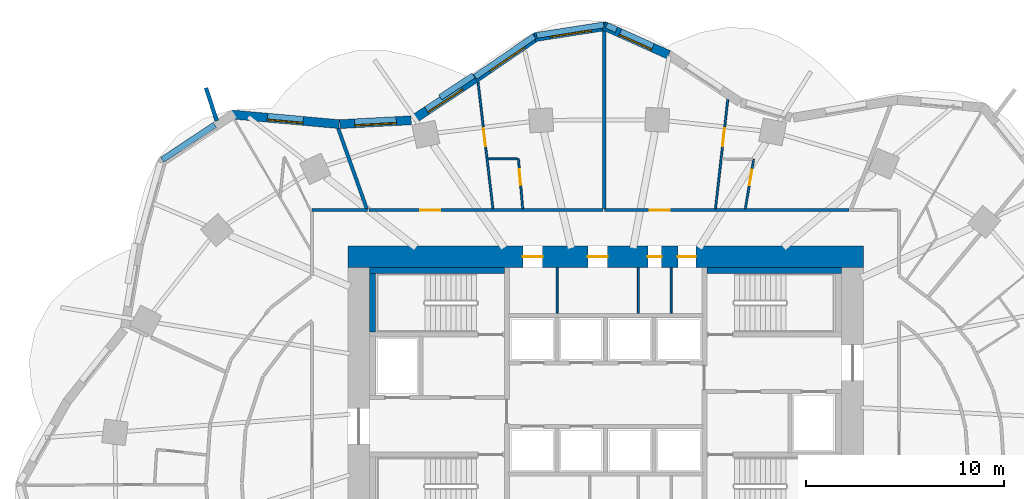
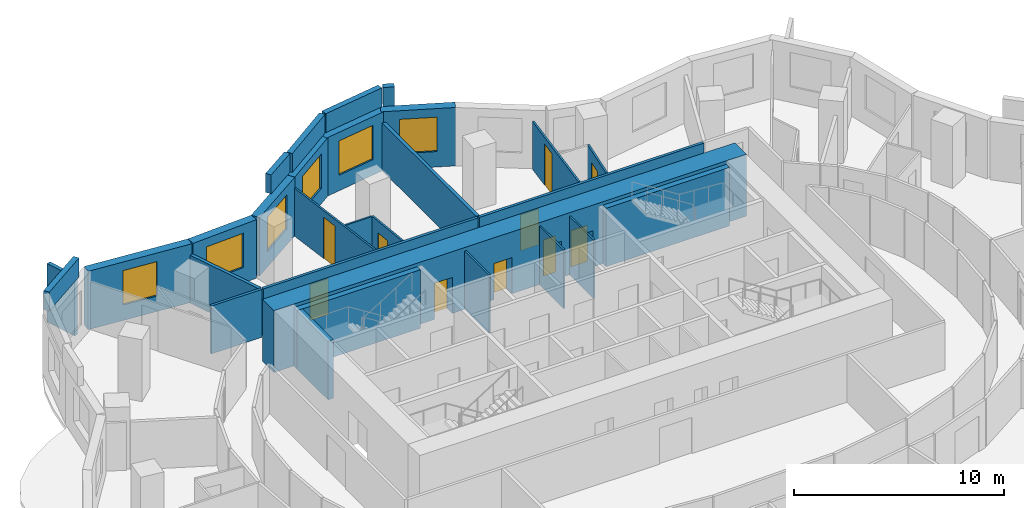
# One storey, part 8 of 11: 29 walls, 10 doors, 6 windows, 16 openings.
"""IFC4 building model written with IfcOpenShell, lengths in metres."""

from ifc_helpers import new_model, si_unit, direction, frame, frame_2d, origin, place, context, subcontext, project, spatial, rectangle, extrude, material, layer, layer_set, type_object, element, fill, save


model = new_model("IFC4")

# Units and contexts
model_context = context("Model", 3, precision=1e-05, world=origin(), true_north=direction((0.0, 1.0)))
body_context = subcontext(model_context, "Body", "Model", "MODEL_VIEW")
ifc_project = project(units=[si_unit("LENGTHUNIT", "METRE"), si_unit("AREAUNIT", "SQUARE_METRE"), si_unit("VOLUMEUNIT", "CUBIC_METRE"), si_unit("PLANEANGLEUNIT", "RADIAN"), si_unit("MASSUNIT", "GRAM", prefix="KILO")], contexts=[model_context])

# Site, building, storey
site_placement = place(None, origin())
site = spatial("IfcSite", under=ifc_project, at=site_placement, CompositionType="ELEMENT")
building_placement = place(site_placement, origin())
building = spatial("IfcBuilding", under=site, at=building_placement, Name="Rubra Terraces Tower", CompositionType="ELEMENT")
storey_placement = place(building_placement, frame((0.0, 0.0, 99.60009765625)))
storey = spatial("IfcBuildingStorey", under=building, at=storey_placement, Name="L23", CompositionType="ELEMENT", Elevation=99.60009765625)

# Walls
ifc_material_1 = material(Name="Twin plasterboard on staggered steel stud, acoustic mineral wool", Category="steel")
ifc_layer_1 = layer(ifc_material_1, 0.175048828125)
ifc_layer_set_1 = layer_set([ifc_layer_1], Name="Twin plasterboard on staggered steel stud, acoustic mineral wool")
wall_type_1 = type_object("IfcWallType", Name="ACOUSTIC PARTY WALL 175", PredefinedType="PARTITIONING", material=ifc_layer_set_1)
wall_1_placement = place(storey_placement, frame((-13.4833984375, 17.916015625, 0.0), z_axis=(0.0, 0.0, 1.0), x_axis=(0.335486303034, -0.9420450841, 0.0)))
element("IfcWall", 1, at=wall_1_placement, inside=storey, type_object=wall_type_1, Name="PARTITION", PredefinedType="PARTITIONING", context=body_context, shape_type="SweptSolid", body=[
    extrude(rectangle(XDim=4.294189453125, YDim=0.175048828125, at=frame_2d((2.14697265625, 0.0))), origin(), (0.0, 0.0, 1.0), 2.783935546875),
])
wall_2_placement = place(storey_placement, frame((-0.0625, 22.83740234375, 0.0), z_axis=(0.0, 0.0, 1.0), x_axis=(0.000599291639, -0.999999820425, 0.0)))
element("IfcWall", 2, at=wall_2_placement, inside=storey, type_object=wall_type_1, Name="PARTITION", PredefinedType="PARTITIONING", context=body_context, shape_type="SweptSolid", body=[
    extrude(rectangle(XDim=8.96240234375, YDim=0.175048828125, at=frame_2d((4.481201171875, 0.0))), origin(), (0.0, 0.0, 1.0), 2.783935546875),
])

# Wall, opening, window
ifc_material_2 = material(Name="Brick masonry red-brown", Category="masonry")
ifc_layer_2 = layer(ifc_material_2, 0.449951171875)
ifc_layer_set_2 = layer_set([ifc_layer_2], Name="Brick masonry red-brown")
wall_type_2 = type_object("IfcWallType", Name="Brick facade wall 450", PredefinedType="SOLIDWALL", material=ifc_layer_set_2)
wall_3_placement = place(storey_placement, frame((3.179443359375, 21.63623046875, 0.0), z_axis=(0.0, 0.0, 1.0), x_axis=(-0.912608353595, 0.40883492139, 0.0)))
wall_3 = element("IfcWall", 3, at=wall_3_placement, inside=storey, type_object=wall_type_2, Name="Facade wall L23 bay 10", PredefinedType="SOLIDWALL", context=body_context, shape_type="SweptSolid", body=[
    extrude(rectangle(XDim=3.584716796875, YDim=0.449951171875, at=frame_2d((1.79248046875, 0.0))), origin(), (0.0, 0.0, 1.0), 3.39990234375),
])
opening_1_placement = place(wall_3_placement, frame((0.892333984375, 0.0, 0.89990234375)))
opening_1 = element("IfcOpeningElement", 4, at=opening_1_placement, cuts=wall_3, Name="Opening W6", PredefinedType="OPENING", context=body_context, shape_type="SweptSolid", body=[
    extrude(rectangle(XDim=1.800048828125, YDim=2.0, at=frame_2d((0.89990234375, 1.0))), frame((0.0, 0.23486328125, 0.0), z_axis=(0.0, -1.0, 0.0), x_axis=(1.0, 0.0, 0.0)), (0.0, 0.0, 1.0), 0.469970703125),
])
ifc_material_3 = material(Name="Clear glass in aluminium frame", Category="aluminium")
window_type_1 = type_object("IfcWindowType", Name="Fixed deep-set window at wind fin 1800 x 2000", PartitioningType="SINGLE_PANEL", PredefinedType="WINDOW", material=ifc_material_3)
window_1_placement = place(opening_1_placement, origin())
window_1 = element("IfcWindow", 5, at=window_1_placement, inside=storey, type_object=window_type_1, Name="Window L23 bay 10", OverallHeight=2.0, OverallWidth=1.800048828125, PartitioningType="SINGLE_PANEL", PredefinedType="WINDOW", context=body_context, shape_type="SweptSolid", body=[
    extrude(rectangle(XDim=1.800048828125, YDim=2.0, at=frame_2d((0.89990234375, 1.0))), frame((0.0, 0.135009765625, 0.0), z_axis=(0.0, -1.0, 0.0), x_axis=(1.0, 0.0, 0.0)), (0.0, 0.0, 1.0), 0.06005859375),
])
fill(opening_1, window_1)

wall_4_placement = place(storey_placement, frame((0.03466796875, 23.084716796875, 0.0), z_axis=(0.0, 0.0, 1.0), x_axis=(-0.988133637562, -0.153596596054, 0.0)))
wall_4 = element("IfcWall", 6, at=wall_4_placement, inside=storey, type_object=wall_type_2, Name="Facade wall L23 bay 11", PredefinedType="SOLIDWALL", context=body_context, shape_type="SweptSolid", body=[
    extrude(rectangle(XDim=3.646240234375, YDim=0.449951171875, at=frame_2d((1.8232421875, 0.0))), origin(), (0.0, 0.0, 1.0), 3.39990234375),
])
opening_2_placement = place(wall_4_placement, frame((0.773193359375, 0.0, 0.89990234375)))
opening_2 = element("IfcOpeningElement", 7, at=opening_2_placement, cuts=wall_4, Name="Opening W1", PredefinedType="OPENING", context=body_context, shape_type="SweptSolid", body=[
    extrude(rectangle(XDim=2.10009765625, YDim=2.0, at=frame_2d((1.050048828125, 1.0))), frame((0.0, 0.23486328125, 0.0), z_axis=(0.0, -1.0, 0.0), x_axis=(1.0, 0.0, 0.0)), (0.0, 0.0, 1.0), 0.469970703125),
])
window_type_2 = type_object("IfcWindowType", Name="Fixed deep-set window 2100 x 2000", PartitioningType="SINGLE_PANEL", PredefinedType="WINDOW", material=ifc_material_3)
window_2_placement = place(opening_2_placement, origin())
window_2 = element("IfcWindow", 8, at=window_2_placement, inside=storey, type_object=window_type_2, Name="Window L23 bay 11", OverallHeight=2.0, OverallWidth=2.10009765625, PartitioningType="SINGLE_PANEL", PredefinedType="WINDOW", context=body_context, shape_type="SweptSolid", body=[
    extrude(rectangle(XDim=2.10009765625, YDim=2.0, at=frame_2d((1.050048828125, 1.0))), frame((0.0, 0.135009765625, 0.0), z_axis=(0.0, -1.0, 0.0), x_axis=(1.0, 0.0, 0.0)), (0.0, 0.0, 1.0), 0.06005859375),
])
fill(opening_2, window_2)

wall_5_placement = place(storey_placement, frame((-3.478515625, 22.559814453125, 0.0), z_axis=(0.0, 0.0, 1.0), x_axis=(-0.824722766417, -0.565537230033, 0.0)))
wall_5 = element("IfcWall", 9, at=wall_5_placement, inside=storey, type_object=wall_type_2, Name="Facade wall L23 bay 12", PredefinedType="SOLIDWALL", context=body_context, shape_type="SweptSolid", body=[
    extrude(rectangle(XDim=3.742431640625, YDim=0.449951171875, at=frame_2d((1.87109375, 0.0))), origin(), (0.0, 0.0, 1.0), 3.39990234375),
])
opening_3_placement = place(wall_5_placement, frame((0.8212890625, 0.0, 0.89990234375)))
opening_3 = element("IfcOpeningElement", 10, at=opening_3_placement, cuts=wall_5, Name="Opening W1", PredefinedType="OPENING", context=body_context, shape_type="SweptSolid", body=[
    extrude(rectangle(XDim=2.10009765625, YDim=2.0, at=frame_2d((1.050048828125, 1.0))), frame((0.0, 0.23486328125, 0.0), z_axis=(0.0, -1.0, 0.0), x_axis=(1.0, 0.0, 0.0)), (0.0, 0.0, 1.0), 0.469970703125),
])
window_3_placement = place(opening_3_placement, origin())
window_3 = element("IfcWindow", 11, at=window_3_placement, inside=storey, type_object=window_type_2, Name="Window L23 bay 12", OverallHeight=2.0, OverallWidth=2.10009765625, PartitioningType="SINGLE_PANEL", PredefinedType="WINDOW", context=body_context, shape_type="SweptSolid", body=[
    extrude(rectangle(XDim=2.10009765625, YDim=2.0, at=frame_2d((1.050048828125, 1.0))), frame((0.0, 0.135009765625, 0.0), z_axis=(0.0, -1.0, 0.0), x_axis=(1.0, 0.0, 0.0)), (0.0, 0.0, 1.0), 0.06005859375),
])
fill(opening_3, window_3)

wall_6_placement = place(storey_placement, frame((-6.568115234375, 20.44140625, 0.0), z_axis=(0.0, 0.0, 1.0), x_axis=(-0.834034214531, -0.551712723246, 0.0)))
wall_6 = element("IfcWall", 12, at=wall_6_placement, inside=storey, type_object=wall_type_2, Name="Facade wall L23 bay 13", PredefinedType="SOLIDWALL", context=body_context, shape_type="SweptSolid", body=[
    extrude(rectangle(XDim=3.75732421875, YDim=0.449951171875, at=frame_2d((1.878662109375, 0.0))), origin(), (0.0, 0.0, 1.0), 3.39990234375),
])
opening_4_placement = place(wall_6_placement, frame((0.82861328125, 0.0, 0.89990234375)))
opening_4 = element("IfcOpeningElement", 13, at=opening_4_placement, cuts=wall_6, Name="Opening W1", PredefinedType="OPENING", context=body_context, shape_type="SweptSolid", body=[
    extrude(rectangle(XDim=2.10009765625, YDim=2.0, at=frame_2d((1.050048828125, 1.0))), frame((0.0, 0.23486328125, 0.0), z_axis=(0.0, -1.0, 0.0), x_axis=(1.0, 0.0, 0.0)), (0.0, 0.0, 1.0), 0.469970703125),
])
window_4_placement = place(opening_4_placement, origin())
window_4 = element("IfcWindow", 14, at=window_4_placement, inside=storey, type_object=window_type_2, Name="Window L23 bay 13", OverallHeight=2.0, OverallWidth=2.10009765625, PartitioningType="SINGLE_PANEL", PredefinedType="WINDOW", context=body_context, shape_type="SweptSolid", body=[
    extrude(rectangle(XDim=2.10009765625, YDim=2.0, at=frame_2d((1.050048828125, 1.0))), frame((0.0, 0.135009765625, 0.0), z_axis=(0.0, -1.0, 0.0), x_axis=(1.0, 0.0, 0.0)), (0.0, 0.0, 1.0), 0.06005859375),
])
fill(opening_4, window_4)

wall_7_placement = place(storey_placement, frame((-9.80322265625, 18.333740234375, 0.0), z_axis=(0.0, 0.0, 1.0), x_axis=(-0.998525941495, -0.054276552602, 0.0)))
wall_7 = element("IfcWall", 15, at=wall_7_placement, inside=storey, type_object=wall_type_2, Name="Facade wall L23 bay 14", PredefinedType="SOLIDWALL", context=body_context, shape_type="SweptSolid", body=[
    extrude(rectangle(XDim=3.60302734375, YDim=0.449951171875, at=frame_2d((1.801513671875, 0.0))), origin(), (0.0, 0.0, 1.0), 3.39990234375),
])
opening_5_placement = place(wall_7_placement, frame((0.75146484375, 0.0, 0.89990234375)))
opening_5 = element("IfcOpeningElement", 16, at=opening_5_placement, cuts=wall_7, Name="Opening W1", PredefinedType="OPENING", context=body_context, shape_type="SweptSolid", body=[
    extrude(rectangle(XDim=2.10009765625, YDim=2.0, at=frame_2d((1.050048828125, 1.0))), frame((0.0, 0.23486328125, 0.0), z_axis=(0.0, -1.0, 0.0), x_axis=(1.0, 0.0, 0.0)), (0.0, 0.0, 1.0), 0.469970703125),
])
window_5_placement = place(opening_5_placement, origin())
window_5 = element("IfcWindow", 17, at=window_5_placement, inside=storey, type_object=window_type_2, Name="Window L23 bay 14", OverallHeight=2.0, OverallWidth=2.10009765625, PartitioningType="SINGLE_PANEL", PredefinedType="WINDOW", context=body_context, shape_type="SweptSolid", body=[
    extrude(rectangle(XDim=2.10009765625, YDim=2.0, at=frame_2d((1.050048828125, 1.0))), frame((0.0, 0.135009765625, 0.0), z_axis=(0.0, -1.0, 0.0), x_axis=(1.0, 0.0, 0.0)), (0.0, 0.0, 1.0), 0.06005859375),
])
fill(opening_5, window_5)

wall_8_placement = place(storey_placement, frame((-13.435791015625, 18.1376953125, 0.0), z_axis=(0.0, 0.0, 1.0), x_axis=(-0.99598810213, 0.089485755376, 0.0)))
wall_8 = element("IfcWall", 18, at=wall_8_placement, inside=storey, type_object=wall_type_2, Name="Facade wall L23 bay 15", PredefinedType="SOLIDWALL", context=body_context, shape_type="SweptSolid", body=[
    extrude(rectangle(XDim=5.451171875, YDim=0.449951171875, at=frame_2d((2.7255859375, 0.0))), origin(), (0.0, 0.0, 1.0), 3.39990234375),
])
opening_6_placement = place(wall_8_placement, frame((1.825439453125, 0.0, 0.89990234375)))
opening_6 = element("IfcOpeningElement", 19, at=opening_6_placement, cuts=wall_8, Name="Opening W6", PredefinedType="OPENING", context=body_context, shape_type="SweptSolid", body=[
    extrude(rectangle(XDim=1.800048828125, YDim=2.0, at=frame_2d((0.89990234375, 1.0))), frame((0.0, 0.23486328125, 0.0), z_axis=(0.0, -1.0, 0.0), x_axis=(1.0, 0.0, 0.0)), (0.0, 0.0, 1.0), 0.469970703125),
])
window_6_placement = place(opening_6_placement, origin())
window_6 = element("IfcWindow", 20, at=window_6_placement, inside=storey, type_object=window_type_1, Name="Window L23 bay 15", OverallHeight=2.0, OverallWidth=1.800048828125, PartitioningType="SINGLE_PANEL", PredefinedType="WINDOW", context=body_context, shape_type="SweptSolid", body=[
    extrude(rectangle(XDim=1.800048828125, YDim=2.0, at=frame_2d((0.89990234375, 1.0))), frame((0.0, 0.135009765625, 0.0), z_axis=(0.0, -1.0, 0.0), x_axis=(1.0, 0.0, 0.0)), (0.0, 0.0, 1.0), 0.06005859375),
])
fill(opening_6, window_6)

# Walls
ifc_layer_3 = layer(ifc_material_2, 0.300048828125)
ifc_layer_set_3 = layer_set([ifc_layer_3], Name="Brick masonry red-brown")
wall_type_3 = type_object("IfcWallType", Name="Brick parapet 300", PredefinedType="PARAPET", material=ifc_layer_set_3)
wall_9_placement = place(storey_placement, frame((0.54541015625, 22.898193359375, 3.599853515625), z_axis=(0.0, 0.0, 1.0), x_axis=(-0.912497815069, 0.409081578044, 0.0)))
element("IfcWall", 21, at=wall_9_placement, inside=storey, type_object=wall_type_3, Name="Parapet L23 bay 10", PredefinedType="PARAPET", context=body_context, shape_type="SweptSolid", body=[
    extrude(rectangle(XDim=0.546142578125, YDim=0.300048828125, at=frame_2d((0.27294921875, 0.0))), origin(), (0.0, 0.0, 1.0), 1.10009765625),
])
wall_10_placement = place(storey_placement, frame((-0.09423828125, 23.140380859375, 3.599853515625), z_axis=(0.0, 0.0, 1.0), x_axis=(-0.988150084887, -0.153490748056, 0.0)))
element("IfcWall", 22, at=wall_10_placement, inside=storey, type_object=wall_type_3, Name="Parapet L23 bay 11", PredefinedType="PARAPET", context=body_context, shape_type="SweptSolid", body=[
    extrude(rectangle(XDim=3.42919921875, YDim=0.300048828125, at=frame_2d((1.714599609375, 0.0))), origin(), (0.0, 0.0, 1.0), 1.10009765625),
])
wall_11_placement = place(storey_placement, frame((-3.59912109375, 22.56787109375, 3.599853515625), z_axis=(0.0, 0.0, 1.0), x_axis=(-0.82476034254, -0.565482428881, 0.0)))
element("IfcWall", 23, at=wall_11_placement, inside=storey, type_object=wall_type_3, Name="Parapet L23 bay 12", PredefinedType="PARAPET", context=body_context, shape_type="SweptSolid", body=[
    extrude(rectangle(XDim=3.61572265625, YDim=0.300048828125, at=frame_2d((1.807861328125, 0.0))), origin(), (0.0, 0.0, 1.0), 1.10009765625),
])
wall_12_placement = place(storey_placement, frame((-6.665283203125, 20.593017578125, 3.599853515625), z_axis=(0.0, 0.0, 1.0), x_axis=(-0.834027642059, -0.551722658843, 0.0)))
element("IfcWall", 24, at=wall_12_placement, inside=storey, type_object=wall_type_3, Name="Parapet L23 bay 13", PredefinedType="PARAPET", context=body_context, shape_type="SweptSolid", body=[
    extrude(rectangle(XDim=2.008056640625, YDim=0.300048828125, at=frame_2d((1.00390625, 0.0))), origin(), (0.0, 0.0, 1.0), 1.10009765625),
])
wall_13_placement = place(storey_placement, frame((-19.70751953125, 18.101318359375, 3.599853515625), z_axis=(0.0, 0.0, 1.0), x_axis=(-0.833370664286, -0.552714515738, 0.0)))
element("IfcWall", 25, at=wall_13_placement, inside=storey, type_object=wall_type_3, Name="Parapet L23 bay 16", PredefinedType="PARAPET", context=body_context, shape_type="SweptSolid", body=[
    extrude(rectangle(XDim=3.180419921875, YDim=0.300048828125, at=frame_2d((1.59033203125, 0.0))), origin(), (0.0, 0.0, 1.0), 1.10009765625),
])
ifc_layer_4 = layer(ifc_material_2, 0.199951171875)
ifc_layer_set_4 = layer_set([ifc_layer_4], Name="Brick masonry red-brown")
wall_type_4 = type_object("IfcWallType", Name="Brick wind fin 200", PredefinedType="SOLIDWALL", material=ifc_layer_set_4)
wall_14_placement = place(storey_placement, frame((-19.60888671875, 18.304931640625, 0.0), z_axis=(0.0, 0.0, 1.0), x_axis=(-0.308600224758, 0.951191832008, 0.0)))
element("IfcWall", 26, at=wall_14_placement, inside=storey, type_object=wall_type_4, Name="Wind fin L23 10", PredefinedType="SOLIDWALL", context=body_context, shape_type="SweptSolid", body=[
    extrude(rectangle(XDim=1.75, YDim=0.199951171875, at=frame_2d((0.875, 0.0))), origin(), (0.0, 0.0, 1.0), 3.39990234375),
])

# Wall, openings, doors
ifc_material_4 = material(Name="Concrete C60", Category="concrete")
ifc_layer_5 = layer(ifc_material_4, 1.10009765625)
ifc_layer_set_5 = layer_set([ifc_layer_5], Name="Concrete C60")
wall_type_5 = type_object("IfcWallType", Name="CORE WALL 1100 C60", PredefinedType="SHEAR", material=ifc_layer_set_5)
wall_15_placement = place(storey_placement, frame((-13.0, 11.449951171875, 0.0), z_axis=(0.0, 0.0, 1.0), x_axis=(1.0, 0.0, 0.0)))
wall_15 = element("IfcWall", 27, at=wall_15_placement, inside=storey, type_object=wall_type_5, Name="CORE WALL N L23", PredefinedType="SHEAR", context=body_context, shape_type="SweptSolid", body=[
    extrude(rectangle(XDim=26.0, YDim=1.10009765625, at=frame_2d((13.0, 0.0))), origin(), (0.0, 0.0, 1.0), 3.599853515625),
])
opening_7_placement = place(wall_15_placement, frame((8.824951171875, 0.0, 0.0)))
opening_7 = element("IfcOpeningElement", 28, at=opening_7_placement, cuts=wall_15, Name="Opening L23.C23", PredefinedType="OPENING", context=body_context, shape_type="SweptSolid", body=[
    extrude(rectangle(XDim=1.0, YDim=2.10009765625, at=frame_2d((0.5, 1.050048828125))), frame((0.0, 0.56005859375, 0.0), z_axis=(0.0, -1.0, 0.0), x_axis=(1.0, 0.0, 0.0)), (0.0, 0.0, 1.0), 1.1201171875),
])
opening_8_placement = place(wall_15_placement, frame((12.10009765625, 0.0, 0.0)))
opening_8 = element("IfcOpeningElement", 29, at=opening_8_placement, cuts=wall_15, Name="Opening L23.C24", PredefinedType="OPENING", context=body_context, shape_type="SweptSolid", body=[
    extrude(rectangle(XDim=1.0, YDim=2.10009765625, at=frame_2d((0.5, 1.050048828125))), frame((0.0, 0.56005859375, 0.0), z_axis=(0.0, -1.0, 0.0), x_axis=(1.0, 0.0, 0.0)), (0.0, 0.0, 1.0), 1.1201171875),
])
opening_9_placement = place(wall_15_placement, frame((15.125, 0.0, 0.0)))
opening_9 = element("IfcOpeningElement", 30, at=opening_9_placement, cuts=wall_15, Name="Opening L23.C25", PredefinedType="OPENING", context=body_context, shape_type="SweptSolid", body=[
    extrude(rectangle(XDim=0.699951171875, YDim=2.10009765625, at=frame_2d((0.35009765625, 1.050048828125))), frame((0.0, 0.56005859375, 0.0), z_axis=(0.0, -1.0, 0.0), x_axis=(1.0, 0.0, 0.0)), (0.0, 0.0, 1.0), 1.1201171875),
])
opening_10_placement = place(wall_15_placement, frame((16.64990234375, 0.0, 0.0)))
opening_10 = element("IfcOpeningElement", 31, at=opening_10_placement, cuts=wall_15, Name="Opening L23.C26", PredefinedType="OPENING", context=body_context, shape_type="SweptSolid", body=[
    extrude(rectangle(XDim=0.89990234375, YDim=2.10009765625, at=frame_2d((0.449951171875, 1.050048828125))), frame((0.0, 0.56005859375, 0.0), z_axis=(0.0, -1.0, 0.0), x_axis=(1.0, 0.0, 0.0)), (0.0, 0.0, 1.0), 1.1201171875),
])
ifc_material_5 = material(Name="Painted steel", Category="steel")
door_type_1 = type_object("IfcDoorType", Name="Fire door 1000x2100 single", OperationType="NOTDEFINED", PredefinedType="DOOR", material=ifc_material_5)
door_1_placement = place(opening_7_placement, origin())
door_1 = element("IfcDoor", 32, at=door_1_placement, inside=storey, type_object=door_type_1, Name="Guest pantry door", OperationType="SINGLE_SWING_LEFT", OverallHeight=2.10009765625, OverallWidth=1.0, PredefinedType="DOOR", context=body_context, shape_type="SweptSolid", body=[
    extrude(rectangle(XDim=1.0, YDim=2.10009765625, at=frame_2d((0.5, 1.050048828125))), frame((0.0, 0.02490234375, 0.0), z_axis=(0.0, -1.0, 0.0), x_axis=(1.0, 0.0, 0.0)), (0.0, 0.0, 1.0), 0.050048828125),
])
fill(opening_7, door_1)
door_2_placement = place(opening_8_placement, origin())
door_2 = element("IfcDoor", 33, at=door_2_placement, inside=storey, type_object=door_type_1, Name="Linen store door", OperationType="SINGLE_SWING_RIGHT", OverallHeight=2.10009765625, OverallWidth=1.0, PredefinedType="DOOR", context=body_context, shape_type="SweptSolid", body=[
    extrude(rectangle(XDim=1.0, YDim=2.10009765625, at=frame_2d((0.5, 1.050048828125))), frame((0.0, 0.02490234375, 0.0), z_axis=(0.0, -1.0, 0.0), x_axis=(1.0, 0.0, 0.0)), (0.0, 0.0, 1.0), 0.050048828125),
])
fill(opening_8, door_2)
door_type_2 = type_object("IfcDoorType", Name="Fire door 900x2100 single", OperationType="NOTDEFINED", PredefinedType="DOOR", material=ifc_material_5)
door_3_placement = place(opening_10_placement, origin())
door_3 = element("IfcDoor", 34, at=door_3_placement, inside=storey, type_object=door_type_2, Name="Cleaner's store door", OperationType="SINGLE_SWING_RIGHT", OverallHeight=2.10009765625, OverallWidth=0.89990234375, PredefinedType="DOOR", context=body_context, shape_type="SweptSolid", body=[
    extrude(rectangle(XDim=0.89990234375, YDim=2.10009765625, at=frame_2d((0.449951171875, 1.050048828125))), frame((0.0, 0.02490234375, 0.0), z_axis=(0.0, -1.0, 0.0), x_axis=(1.0, 0.0, 0.0)), (0.0, 0.0, 1.0), 0.050048828125),
])
fill(opening_10, door_3)
door_type_3 = type_object("IfcDoorType", Name="Riser access door 700x2100 single", OperationType="NOTDEFINED", PredefinedType="DOOR", material=ifc_material_5)
door_4_placement = place(opening_9_placement, origin())
door_4 = element("IfcDoor", 35, at=door_4_placement, inside=storey, type_object=door_type_3, Name="Electrical riser room door", OperationType="SINGLE_SWING_LEFT", OverallHeight=2.10009765625, OverallWidth=0.699951171875, PredefinedType="DOOR", context=body_context, shape_type="SweptSolid", body=[
    extrude(rectangle(XDim=0.699951171875, YDim=2.10009765625, at=frame_2d((0.35009765625, 1.050048828125))), frame((0.0, 0.02490234375, 0.0), z_axis=(0.0, -1.0, 0.0), x_axis=(1.0, 0.0, 0.0)), (0.0, 0.0, 1.0), 0.050048828125),
])
fill(opening_9, door_4)

# Wall
ifc_material_6 = material(Name="Plasterboard on steel stud, mineral wool infill", Category="steel")
ifc_layer_6 = layer(ifc_material_6, 0.14990234375)
ifc_layer_set_6 = layer_set([ifc_layer_6], Name="Plasterboard on steel stud, mineral wool infill")
wall_type_6 = type_object("IfcWallType", Name="CORRIDOR PARTITION 150", PredefinedType="PARTITIONING", material=ifc_layer_set_6)
wall_16_placement = place(storey_placement, frame((-12.017578125, 13.800048828125, 0.0), z_axis=(0.0, 0.0, 1.0), x_axis=(-1.0, 0.0, 0.0)))
element("IfcWall", 36, at=wall_16_placement, inside=storey, type_object=wall_type_6, Name="PARTITION", PredefinedType="PARTITIONING", context=body_context, shape_type="SweptSolid", body=[
    extrude(rectangle(XDim=2.782470703125, YDim=0.14990234375, at=frame_2d((1.39111328125, 0.0))), origin(), (0.0, 0.0, 1.0), 2.783935546875),
])

# Wall, opening, door
wall_17_placement = place(storey_placement, frame((12.280517578125, 13.800048828125, 0.0), z_axis=(0.0, 0.0, 1.0), x_axis=(-1.0, 0.0, 0.0)))
wall_17 = element("IfcWall", 37, at=wall_17_placement, inside=storey, type_object=wall_type_6, Name="PARTITION", PredefinedType="PARTITIONING", context=body_context, shape_type="SweptSolid", body=[
    extrude(rectangle(XDim=12.337646484375, YDim=0.14990234375, at=frame_2d((6.1689453125, 0.0))), origin(), (0.0, 0.0, 1.0), 2.783935546875),
])
opening_11_placement = place(wall_17_placement, frame((9.04296875, 0.0, 0.0)))
opening_11 = element("IfcOpeningElement", 38, at=opening_11_placement, cuts=wall_17, Name="Opening 23-128", PredefinedType="OPENING", context=body_context, shape_type="SweptSolid", body=[
    extrude(rectangle(XDim=1.0, YDim=2.10009765625, at=frame_2d((0.5, 1.050048828125))), frame((0.0, 0.0849609375, 0.0), z_axis=(0.0, -1.0, 0.0), x_axis=(1.0, 0.0, 0.0)), (0.0, 0.0, 1.0), 0.169921875),
])
ifc_material_7 = material(Name="Painted timber door leaf", Category="wood")
door_type_4 = type_object("IfcDoorType", Name="ROOM DOOR 1000 X 2100", OperationType="SINGLE_SWING_LEFT", PredefinedType="DOOR", material=ifc_material_7)
door_5_placement = place(opening_11_placement, origin())
door_5 = element("IfcDoor", 39, at=door_5_placement, inside=storey, type_object=door_type_4, Name="DOOR 23-128", OperationType="SINGLE_SWING_RIGHT", OverallHeight=2.10009765625, OverallWidth=1.0, PredefinedType="DOOR", context=body_context, shape_type="SweptSolid", body=[
    extrude(rectangle(XDim=1.0, YDim=2.10009765625, at=frame_2d((0.5, 1.050048828125))), frame((0.0, 0.02490234375, 0.0), z_axis=(0.0, -1.0, 0.0), x_axis=(1.0, 0.0, 0.0)), (0.0, 0.0, 1.0), 0.050048828125),
])
fill(opening_11, door_5)

wall_18_placement = place(storey_placement, frame((-0.132080078125, 13.800048828125, 0.0), z_axis=(0.0, 0.0, 1.0), x_axis=(-1.0, 0.0, 0.0)))
wall_18 = element("IfcWall", 40, at=wall_18_placement, inside=storey, type_object=wall_type_6, Name="PARTITION", PredefinedType="PARTITIONING", context=body_context, shape_type="SweptSolid", body=[
    extrude(rectangle(XDim=11.810302734375, YDim=0.14990234375, at=frame_2d((5.9052734375, 0.0))), origin(), (0.0, 0.0, 1.0), 2.783935546875),
])
opening_12_placement = place(wall_18_placement, frame((8.212890625, 0.0, 0.0)))
opening_12 = element("IfcOpeningElement", 41, at=opening_12_placement, cuts=wall_18, Name="Opening 23-131", PredefinedType="OPENING", context=body_context, shape_type="SweptSolid", body=[
    extrude(rectangle(XDim=1.0, YDim=2.10009765625, at=frame_2d((0.5, 1.050048828125))), frame((0.0, 0.0849609375, 0.0), z_axis=(0.0, -1.0, 0.0), x_axis=(1.0, 0.0, 0.0)), (0.0, 0.0, 1.0), 0.169921875),
])
door_6_placement = place(opening_12_placement, origin())
door_6 = element("IfcDoor", 42, at=door_6_placement, inside=storey, type_object=door_type_4, Name="DOOR 23-131", OperationType="SINGLE_SWING_RIGHT", OverallHeight=2.10009765625, OverallWidth=1.0, PredefinedType="DOOR", context=body_context, shape_type="SweptSolid", body=[
    extrude(rectangle(XDim=1.0, YDim=2.10009765625, at=frame_2d((0.5, 1.050048828125))), frame((0.0, 0.02490234375, 0.0), z_axis=(0.0, -1.0, 0.0), x_axis=(1.0, 0.0, 0.0)), (0.0, 0.0, 1.0), 0.050048828125),
])
fill(opening_12, door_6)

# Walls
ifc_material_8 = material(Name="Concrete C40", Category="concrete")
ifc_layer_7 = layer(ifc_material_8, 0.300048828125)
ifc_layer_set_7 = layer_set([ifc_layer_7], Name="Concrete C40")
wall_type_7 = type_object("IfcWallType", Name="Core lining wall 300 concrete", PredefinedType="SOLIDWALL", material=ifc_layer_set_7)
wall_19_placement = place(storey_placement, frame((-11.75, 7.64990234375, 0.0), z_axis=(0.0, 0.0, 1.0), x_axis=(0.0, 1.0, 0.0)))
element("IfcWall", 43, at=wall_19_placement, inside=storey, type_object=wall_type_7, Name="CORE LINING WALL L23", PredefinedType="SOLIDWALL", context=body_context, shape_type="SweptSolid", body=[
    extrude(rectangle(XDim=2.9501953125, YDim=0.300048828125, at=frame_2d((1.47509765625, 0.0))), origin(), (0.0, 0.0, 1.0), 3.39990234375),
])
for number, where, z_axis, x_axis, name in (
    (44, (-11.89990234375, 10.75, 0.0), (0.0, 0.0, 1.0), (1.0, 0.0, 0.0), "CORE LINING WALL L23"),
    (45, (11.89990234375, 10.75, 0.0), (0.0, 0.0, 1.0), (-1.0, 0.0, 0.0), "CORE LINING WALL L23"),
):
    element("IfcWall", number, at=place(storey_placement, frame(where, z_axis=z_axis, x_axis=x_axis)), inside=storey, type_object=wall_type_7, Name=name, PredefinedType="SOLIDWALL", context=body_context, shape_type="SweptSolid", body=[
        extrude(rectangle(XDim=6.7998046875, YDim=0.300048828125, at=frame_2d((3.39990234375, 0.0))), origin(), (0.0, 0.0, 1.0), 3.39990234375),
    ])

# Wall, opening, door
ifc_material_9 = material(Name="Plasterboard on steel stud", Category="steel")
ifc_layer_8 = layer(ifc_material_9, 0.10009765625)
ifc_layer_set_8 = layer_set([ifc_layer_8], Name="Plasterboard on steel stud")
wall_type_8 = type_object("IfcWallType", Name="ROOM PARTITION 100", PredefinedType="PARTITIONING", material=ifc_layer_set_8)
wall_20_placement = place(storey_placement, frame((6.160888671875, 19.37744140625, 0.0), z_axis=(0.0, 0.0, 1.0), x_axis=(-0.11193626313, -0.993715388326, 0.0)))
wall_20 = element("IfcWall", 46, at=wall_20_placement, inside=storey, type_object=wall_type_8, Name="PARTITION", PredefinedType="PARTITIONING", context=body_context, shape_type="SweptSolid", body=[
    extrude(rectangle(XDim=5.537841796875, YDim=0.10009765625, at=frame_2d((2.76904296875, 0.0))), origin(), (0.0, 0.0, 1.0), 2.783935546875),
])
opening_13_placement = place(wall_20_placement, frame((1.462890625, 0.0, 0.0)))
opening_13 = element("IfcOpeningElement", 47, at=opening_13_placement, cuts=wall_20, Name="Opening 23-127", PredefinedType="OPENING", context=body_context, shape_type="SweptSolid", body=[
    extrude(rectangle(XDim=0.89990234375, YDim=2.39990234375, at=frame_2d((0.449951171875, 1.199951171875))), frame((0.0, 0.06005859375, 0.0), z_axis=(0.0, -1.0, 0.0), x_axis=(1.0, 0.0, 0.0)), (0.0, 0.0, 1.0), 0.1201171875),
])
ifc_material_10 = material(Name="Veneered timber door leaf, fire-rated", Category="wood")
door_type_5 = type_object("IfcDoorType", Name="SUITE ENTRANCE DOOR 900 X 2400", OperationType="SINGLE_SWING_LEFT", PredefinedType="DOOR", material=ifc_material_10)
door_7_placement = place(opening_13_placement, origin())
door_7 = element("IfcDoor", 48, at=door_7_placement, inside=storey, type_object=door_type_5, Name="DOOR 23-127", OperationType="SINGLE_SWING_LEFT", OverallHeight=2.39990234375, OverallWidth=0.89990234375, PredefinedType="DOOR", context=body_context, shape_type="SweptSolid", body=[
    extrude(rectangle(XDim=0.89990234375, YDim=2.39990234375, at=frame_2d((0.449951171875, 1.199951171875))), frame((0.0, 0.02490234375, 0.0), z_axis=(0.0, -1.0, 0.0), x_axis=(1.0, 0.0, 0.0)), (0.0, 0.0, 1.0), 0.050048828125),
])
fill(opening_13, door_7)

wall_21_placement = place(storey_placement, frame((7.045166015625, 13.8740234375, 0.0), z_axis=(0.0, 0.0, 1.0), x_axis=(0.166499655313, 0.986041512707, 0.0)))
wall_21 = element("IfcWall", 49, at=wall_21_placement, inside=storey, type_object=wall_type_8, Name="PARTITION", PredefinedType="PARTITIONING", context=body_context, shape_type="SweptSolid", body=[
    extrude(rectangle(XDim=2.52490234375, YDim=0.10009765625, at=frame_2d((1.262451171875, 0.0))), origin(), (0.0, 0.0, 1.0), 2.783935546875),
])
opening_14_placement = place(wall_21_placement, frame((1.199951171875, 0.0, 0.0)))
opening_14 = element("IfcOpeningElement", 50, at=opening_14_placement, cuts=wall_21, Name="Opening 23-126", PredefinedType="OPENING", context=body_context, shape_type="SweptSolid", body=[
    extrude(rectangle(XDim=0.800048828125, YDim=2.10009765625, at=frame_2d((0.39990234375, 1.050048828125))), frame((0.0, 0.06005859375, 0.0), z_axis=(0.0, -1.0, 0.0), x_axis=(1.0, 0.0, 0.0)), (0.0, 0.0, 1.0), 0.1201171875),
])
door_type_6 = type_object("IfcDoorType", Name="BATHROOM DOOR 800 X 2100", OperationType="SINGLE_SWING_LEFT", PredefinedType="DOOR", material=ifc_material_7)
door_8_placement = place(opening_14_placement, origin())
door_8 = element("IfcDoor", 51, at=door_8_placement, inside=storey, type_object=door_type_6, Name="DOOR 23-126", OperationType="SINGLE_SWING_LEFT", OverallHeight=2.10009765625, OverallWidth=0.800048828125, PredefinedType="DOOR", context=body_context, shape_type="SweptSolid", body=[
    extrude(rectangle(XDim=0.800048828125, YDim=2.10009765625, at=frame_2d((0.39990234375, 1.050048828125))), frame((0.0, 0.02490234375, 0.0), z_axis=(0.0, -1.0, 0.0), x_axis=(1.0, 0.0, 0.0)), (0.0, 0.0, 1.0), 0.050048828125),
])
fill(opening_14, door_8)

wall_22_placement = place(storey_placement, frame((-6.433349609375, 20.256103515625, 0.0), z_axis=(0.0, 0.0, 1.0), x_axis=(0.116872110209, -0.993146972938, 0.0)))
wall_22 = element("IfcWall", 52, at=wall_22_placement, inside=storey, type_object=wall_type_8, Name="PARTITION", PredefinedType="PARTITIONING", context=body_context, shape_type="SweptSolid", body=[
    extrude(rectangle(XDim=6.425537109375, YDim=0.10009765625, at=frame_2d((3.212890625, 0.0))), origin(), (0.0, 0.0, 1.0), 2.783935546875),
])
opening_15_placement = place(wall_22_placement, frame((2.35107421875, 0.0, 0.0)))
opening_15 = element("IfcOpeningElement", 53, at=opening_15_placement, cuts=wall_22, Name="Opening 23-130", PredefinedType="OPENING", context=body_context, shape_type="SweptSolid", body=[
    extrude(rectangle(XDim=0.89990234375, YDim=2.39990234375, at=frame_2d((0.449951171875, 1.199951171875))), frame((0.0, 0.06005859375, 0.0), z_axis=(0.0, -1.0, 0.0), x_axis=(1.0, 0.0, 0.0)), (0.0, 0.0, 1.0), 0.1201171875),
])
door_9_placement = place(opening_15_placement, origin())
door_9 = element("IfcDoor", 54, at=door_9_placement, inside=storey, type_object=door_type_5, Name="DOOR 23-130", OperationType="SINGLE_SWING_LEFT", OverallHeight=2.39990234375, OverallWidth=0.89990234375, PredefinedType="DOOR", context=body_context, shape_type="SweptSolid", body=[
    extrude(rectangle(XDim=0.89990234375, YDim=2.39990234375, at=frame_2d((0.449951171875, 1.199951171875))), frame((0.0, 0.02490234375, 0.0), z_axis=(0.0, -1.0, 0.0), x_axis=(1.0, 0.0, 0.0)), (0.0, 0.0, 1.0), 0.050048828125),
])
fill(opening_15, door_9)

wall_23_placement = place(storey_placement, frame((-4.179931640625, 13.874755859375, 0.0), z_axis=(0.0, 0.0, 1.0), x_axis=(-0.085957842689, 0.996298775107, 0.0)))
wall_23 = element("IfcWall", 55, at=wall_23_placement, inside=storey, type_object=wall_type_8, Name="PARTITION", PredefinedType="PARTITIONING", context=body_context, shape_type="SweptSolid", body=[
    extrude(rectangle(XDim=2.52490234375, YDim=0.10009765625, at=frame_2d((1.262451171875, 0.0))), origin(), (0.0, 0.0, 1.0), 2.783935546875),
])
opening_16_placement = place(wall_23_placement, frame((1.199951171875, 0.0, 0.0)))
opening_16 = element("IfcOpeningElement", 56, at=opening_16_placement, cuts=wall_23, Name="Opening 23-129", PredefinedType="OPENING", context=body_context, shape_type="SweptSolid", body=[
    extrude(rectangle(XDim=0.800048828125, YDim=2.10009765625, at=frame_2d((0.39990234375, 1.050048828125))), frame((0.0, 0.06005859375, 0.0), z_axis=(0.0, -1.0, 0.0), x_axis=(1.0, 0.0, 0.0)), (0.0, 0.0, 1.0), 0.1201171875),
])
door_10_placement = place(opening_16_placement, origin())
door_10 = element("IfcDoor", 57, at=door_10_placement, inside=storey, type_object=door_type_6, Name="DOOR 23-129", OperationType="SINGLE_SWING_LEFT", OverallHeight=2.10009765625, OverallWidth=0.800048828125, PredefinedType="DOOR", context=body_context, shape_type="SweptSolid", body=[
    extrude(rectangle(XDim=0.800048828125, YDim=2.10009765625, at=frame_2d((0.39990234375, 1.050048828125))), frame((0.0, 0.02490234375, 0.0), z_axis=(0.0, -1.0, 0.0), x_axis=(1.0, 0.0, 0.0)), (0.0, 0.0, 1.0), 0.050048828125),
])
fill(opening_16, door_10)

# Walls
wall_24_placement = place(storey_placement, frame((-4.447021484375, 16.39013671875, 0.0), z_axis=(0.0, 0.0, 1.0), x_axis=(-0.999986933283, -0.005112070404, 0.0)))
element("IfcWall", 58, at=wall_24_placement, inside=storey, type_object=wall_type_8, Name="PARTITION", PredefinedType="PARTITIONING", context=body_context, shape_type="SweptSolid", body=[
    extrude(rectangle(XDim=1.48046875, YDim=0.10009765625, at=frame_2d((0.740234375, 0.0))), origin(), (0.0, 0.0, 1.0), 2.783935546875),
])
ifc_material_11 = material(Name="Blockwork", Category="masonry")
ifc_layer_9 = layer(ifc_material_11, 0.10009765625)
ifc_layer_set_9 = layer_set([ifc_layer_9], Name="Blockwork")
wall_type_9 = type_object("IfcWallType", Name="Service partition 100 blockwork", PredefinedType="PARTITIONING", material=ifc_layer_set_9)
for number, where, z_axis, x_axis, name in (
    (59, (-2.449951171875, 8.60009765625, 0.0), (0.0, 0.0, 1.0), (0.0, 1.0, 0.0), "SERVICE ROOM PARTITION L23"),
    (60, (1.64990234375, 8.60009765625, 0.0), (0.0, 0.0, 1.0), (0.0, 1.0, 0.0), "SERVICE ROOM PARTITION L23"),
    (61, (3.300048828125, 8.60009765625, 0.0), (0.0, 0.0, 1.0), (0.0, 1.0, 0.0), "SERVICE ROOM PARTITION L23"),
):
    element("IfcWall", number, at=place(storey_placement, frame(where, z_axis=z_axis, x_axis=x_axis)), inside=storey, type_object=wall_type_9, Name=name, PredefinedType="PARTITIONING", context=body_context, shape_type="SweptSolid", body=[
        extrude(rectangle(XDim=2.2998046875, YDim=0.10009765625, at=frame_2d((1.14990234375, 0.0))), origin(), (0.0, 0.0, 1.0), 3.39990234375),
    ])

save(model, "model.ifc")
